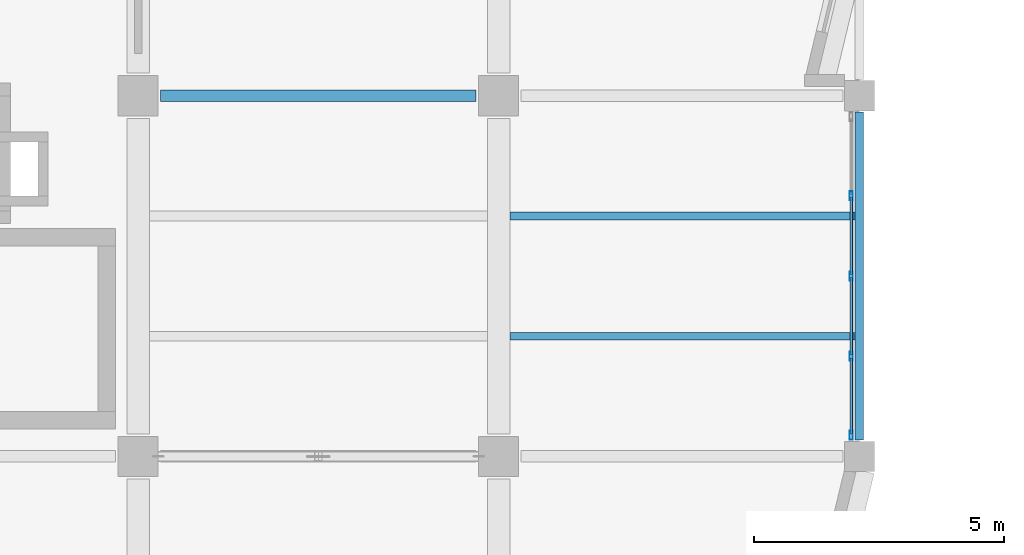
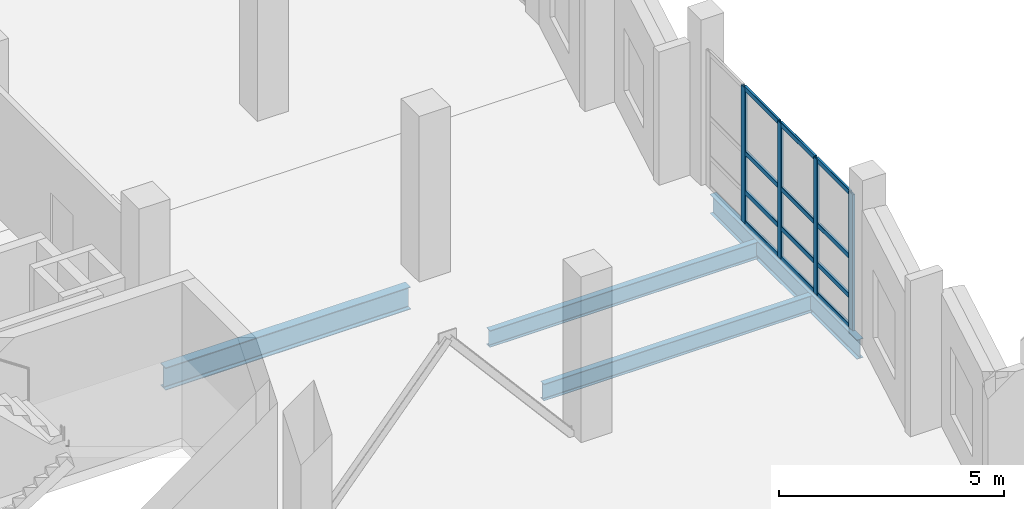
# One storey, part 32 of 123: 16 members, 4 beams, 1 element without a shape of its own.
"""IFC4 building model written with IfcOpenShell, lengths in metres."""

import ifcopenshell
import ifcopenshell.guid

model = None  # the IFC model being written
_history = None  # IfcOwnerHistory: only IFC2X3 demands one
_inside = {}  # id of a spatial element -> (the spatial element, [elements in it])
_under = {}  # id of a project, library or spatial element -> (it, [spatial elements below it])
_declared = {}  # id of a project -> (the project, [libraries it declares])
_typed = {}  # id of a type object -> (the type object, [elements of that type])
_made_of = {}  # id of a material, layer set ... -> (it, [elements and type objects made of it])


def new_model(schema):
    """Start an empty IFC model of exactly this schema.

    Asked for "IFC4X3", IfcOpenShell would pick the latest addendum, in which some entities
    have other attributes; the version numbers below select the first issue.
    IFC2X3 requires an IfcOwnerHistory on every rooted entity: one is made here for all.
    """
    global model, _history
    if schema == "IFC4X3":
        model = ifcopenshell.file(schema_version=(4, 3, 0, 0))
    else:
        model = ifcopenshell.file(schema=schema)
    _inside.clear()
    _under.clear()
    _declared.clear()
    _typed.clear()
    _made_of.clear()
    _history = None
    if model.schema == "IFC2X3":
        org = make("IfcOrganization", Name="unknown")
        user = make(
            "IfcPersonAndOrganization",
            ThePerson=make("IfcPerson", FamilyName="unknown"),
            TheOrganization=org,
        )
        app = make(
            "IfcApplication",
            ApplicationDeveloper=org,
            Version="unknown",
            ApplicationFullName="unknown",
            ApplicationIdentifier="unknown",
        )
        _history = make(
            "IfcOwnerHistory",
            OwningUser=user,
            OwningApplication=app,
            ChangeAction="ADDED",
            CreationDate=0,
        )
    return model


def make(cls, **values):
    """One entity of the class cls with the attributes given. An attribute that is None is left unset."""
    return model.create_entity(
        cls, **{name: value for name, value in values.items() if value is not None}
    )


def rooted(cls, **values):
    """An entity with a GlobalId (a new one), such as an element, a storey or a relation."""
    return make(cls, GlobalId=ifcopenshell.guid.new(), OwnerHistory=_history, **values)


def si_unit(unit_type, name, prefix=None):
    """IfcSIUnit, for example si_unit("LENGTHUNIT", "METRE", prefix="MILLI")."""
    return make("IfcSIUnit", UnitType=unit_type, Prefix=prefix, Name=name)


def assignment(units):
    """IfcUnitAssignment: the units of a project."""
    return None if units is None else make("IfcUnitAssignment", Units=units)


def point(xyz):
    """IfcCartesianPoint."""
    return None if xyz is None else make("IfcCartesianPoint", Coordinates=xyz)


def direction(xyz):
    """IfcDirection."""
    return None if xyz is None else make("IfcDirection", DirectionRatios=xyz)


def frame(location, z_axis=None, x_axis=None):
    """IfcAxis2Placement3D, a coordinate frame: its origin and axes. An axis left out is left unset."""
    return make(
        "IfcAxis2Placement3D",
        Location=point(location),
        Axis=direction(z_axis),
        RefDirection=direction(x_axis),
    )


def frame_2d(location, x_axis=None):
    """IfcAxis2Placement2D, a coordinate frame in the plane: its origin and x axis."""
    return make(
        "IfcAxis2Placement2D", Location=point(location), RefDirection=direction(x_axis)
    )


def origin():
    """The frame at (0, 0, 0) with its axes left unset."""
    return frame((0.0, 0.0, 0.0))


def origin_2d():
    """The frame at (0, 0) in the plane with its x axis left unset."""
    return frame_2d((0.0, 0.0))


def place(relative_to, where):
    """IfcLocalPlacement: puts the frame where relative to a parent placement (None: the world)."""
    return make(
        "IfcLocalPlacement", PlacementRelTo=relative_to, RelativePlacement=where
    )


def context(
    kind, dimensions, precision=None, world=None, true_north=None, identifier=None
):
    """IfcGeometricRepresentationContext, for example the 3D "Model" context."""
    return make(
        "IfcGeometricRepresentationContext",
        ContextIdentifier=identifier,
        ContextType=kind,
        CoordinateSpaceDimension=dimensions,
        Precision=precision,
        WorldCoordinateSystem=world,
        TrueNorth=true_north,
    )


def subcontext(parent, identifier, kind, view, scale=None):
    """IfcGeometricRepresentationSubContext, for example "Body" below "Model"."""
    return make(
        "IfcGeometricRepresentationSubContext",
        ContextIdentifier=identifier,
        ContextType=kind,
        ParentContext=parent,
        TargetScale=scale,
        TargetView=view,
    )


def project(units=None, contexts=None):
    """IfcProject with its units and contexts."""
    return rooted(
        "IfcProject",
        Name="project",
        RepresentationContexts=contexts,
        UnitsInContext=assignment(units),
    )


def spatial(cls, under=None, at=None, **own):
    """A site, building, storey or space (cls), placed at a placement, below another one or the project."""
    s = rooted(cls, ObjectPlacement=at, **own)
    if under is not None:
        _under.setdefault(under.id(), (under, []))[1].append(s)
    return s


def profile(cls, at=None, kind="AREA", **sizes):
    """A parametric profile (cls). Its sizes go by their IFC names, for example OverallWidth=200.0."""
    return make(cls, ProfileType=kind, Position=at, **sizes)


def hollow_rectangle(**sizes):
    """IfcRectangleHollowProfileDef."""
    return profile("IfcRectangleHollowProfileDef", **sizes)


def i_section(**sizes):
    """IfcIShapeProfileDef."""
    return profile("IfcIShapeProfileDef", **sizes)


def extrude(swept, where, along, depth):
    """IfcExtrudedAreaSolid: the profile swept, set in the frame where, extruded along a direction by depth."""
    return make(
        "IfcExtrudedAreaSolid",
        SweptArea=swept,
        Position=where,
        ExtrudedDirection=direction(along),
        Depth=depth,
    )


def shape(context_of_items, identifier, shape_type, items):
    """IfcShapeRepresentation: the items that make up one representation, for example the "Body"."""
    return make(
        "IfcShapeRepresentation",
        ContextOfItems=context_of_items,
        RepresentationIdentifier=identifier,
        RepresentationType=shape_type,
        Items=items,
    )


def material(Name=None, Category=None):
    """IfcMaterial."""
    return make("IfcMaterial", Name=Name, Category=Category)


def material_profile(
    of_material, cross_section, Name=None, Category=None, Priority=None
):
    """IfcMaterialProfile: a cross section and its material."""
    return make(
        "IfcMaterialProfile",
        Name=Name,
        Material=of_material,
        Profile=cross_section,
        Priority=Priority,
        Category=Category,
    )


def profile_set(profiles, Name=None, composite=None):
    """IfcMaterialProfileSet."""
    return make(
        "IfcMaterialProfileSet",
        Name=Name,
        MaterialProfiles=profiles,
        CompositeProfile=composite,
    )


def made_of(thing, what):
    """Note that an element or type object is made of a material, layer set ...; save() writes the relation."""
    if what is not None:
        _made_of.setdefault(what.id(), (what, []))[1].append(thing)
    return thing


def type_object(cls, material=None, **own):
    """A type object (cls), such as IfcWallType, which elements share."""
    return made_of(rooted(cls, **own), material)


def element(
    cls,
    number,
    at=None,
    inside=None,
    cuts=None,
    type_object=None,
    material=None,
    context=None,
    identifier="Body",
    shape_type=None,
    held_by="IfcProductDefinitionShape",
    body=None,
    shapes=None,
    **own,
):
    """One element of the class cls, such as IfcWall. Its Tag is "e" and its number.

    at: its placement. inside: the storey or other place that contains it. cuts: it is an
    opening in that element (IfcRelVoidsElement). A single representation is given by context,
    identifier, shape_type and body (its items); several are given by shapes. held_by: the class
    of the entity that holds the representations. save() writes the other relations.
    """
    e = rooted(cls, Tag="e%d" % number, ObjectPlacement=at, **own)
    if body is not None:
        shapes = [shape(context, identifier, shape_type, body)]
    if shapes is not None:
        e.Representation = make(held_by, Representations=shapes)
    if inside is not None:
        _inside.setdefault(inside.id(), (inside, []))[1].append(e)
    if cuts is not None:
        rooted(
            "IfcRelVoidsElement", RelatingBuildingElement=cuts, RelatedOpeningElement=e
        )
    if type_object is not None:
        _typed.setdefault(type_object.id(), (type_object, []))[1].append(e)
    return made_of(e, material)


def aggregate(whole, parts):
    """IfcRelAggregates: a whole, such as a stair, and the parts it consists of."""
    return rooted("IfcRelAggregates", RelatingObject=whole, RelatedObjects=parts)


def save(model, path):
    """Write the relations noted so far, then the file.

    IfcRelAggregates (storeys below a building ...), IfcRelContainedInSpatialStructure (elements
    in a storey), IfcRelDefinesByType, IfcRelAssociatesMaterial and IfcRelDeclares: one each for
    every whole, place, type object, material and project.
    """
    for whole, parts in _under.values():
        aggregate(whole, parts)
    for where, things in _inside.values():
        rooted(
            "IfcRelContainedInSpatialStructure",
            RelatedElements=things,
            RelatingStructure=where,
        )
    for kind, things in _typed.values():
        rooted("IfcRelDefinesByType", RelatedObjects=things, RelatingType=kind)
    for what, things in _made_of.values():
        rooted("IfcRelAssociatesMaterial", RelatedObjects=things, RelatingMaterial=what)
    for by, libraries in _declared.values():
        rooted("IfcRelDeclares", RelatingContext=by, RelatedDefinitions=libraries)
    model.write(path)


model = new_model("IFC4")

# Units and contexts
model_context = context("Model", 3, precision=1e-05, world=origin(), true_north=direction((0.0, 1.0)))
body_context = subcontext(model_context, "Body", "Model", "MODEL_VIEW")
ifc_project = project(units=[si_unit("LENGTHUNIT", "METRE"), si_unit("AREAUNIT", "SQUARE_METRE"), si_unit("VOLUMEUNIT", "CUBIC_METRE"), si_unit("PLANEANGLEUNIT", "RADIAN"), si_unit("MASSUNIT", "GRAM", prefix="KILO")], contexts=[model_context])

# Site, building, storey
site_placement = place(None, origin())
site = spatial("IfcSite", under=ifc_project, at=site_placement, CompositionType="ELEMENT")
building_placement = place(site_placement, origin())
building = spatial("IfcBuilding", under=site, at=building_placement, Name="Kalmorath City Hall", CompositionType="ELEMENT")
storey_placement = place(building_placement, frame((0.0, 0.0, 10.199951171875)))
storey = spatial("IfcBuildingStorey", under=building, at=storey_placement, Name="L02", CompositionType="ELEMENT", Elevation=10.199951171875)

# Curtain wall, members
ifc_material_1 = material(Name="Anodised aluminium and laminated glass", Category="aluminium")
curtain_wall_type = type_object("IfcCurtainWallType", Name="Unitised hurricane curtain wall 6420x3696 M1450", PredefinedType="NOTDEFINED", material=ifc_material_1)
curtain_wall_placement = place(storey_placement, origin())
curtain_wall = element("IfcCurtainWall", 1, at=curtain_wall_placement, inside=storey, type_object=curtain_wall_type, Name="L02 curtain wall CW-64X37M14 #141", PredefinedType="NOTDEFINED")
ifc_material_2 = material(Name="Anodised aluminium framing", Category="aluminium")
ifc_material_profile_1 = material_profile(ifc_material_2, hollow_rectangle(XDim=0.06494140625, YDim=0.179931640625, WallThickness=0.00390625, InnerFilletRadius=0.00390625, OuterFilletRadius=0.008056640625, at=origin_2d()), Name="ALU-MUL-180X65X4")
ifc_profile_set_1 = profile_set([ifc_material_profile_1], Name="Anodised aluminium framing")
member_type_1 = type_object("IfcMemberType", Name="Curtain-wall courtyard mullion 180x65", PredefinedType="MULLION", material=ifc_profile_set_1)
member_1_placement = place(storey_placement, frame((28.639892578125, 55.60498046875, 0.0), z_axis=(0.0, 0.0, 1.0), x_axis=(1.0, 0.0, 0.0)))
member_1 = element("IfcMember", 2, at=member_1_placement, type_object=member_type_1, Name="CW-64X37M14 mullion 2", PredefinedType="MULLION", context=body_context, shape_type="SweptSolid", body=[
    extrude(hollow_rectangle(XDim=0.06494140625, YDim=0.179931640625, WallThickness=0.00390625, InnerFilletRadius=0.00390625, OuterFilletRadius=0.008056640625, at=origin_2d()), origin(), (0.0, 0.0, 1.0), 3.696044921875),
])
member_2_placement = place(storey_placement, frame((28.639892578125, 54.0, 0.0), z_axis=(0.0, 0.0, 1.0), x_axis=(1.0, 0.0, 0.0)))
member_2 = element("IfcMember", 3, at=member_2_placement, type_object=member_type_1, Name="CW-64X37M14 mullion 3", PredefinedType="MULLION", context=body_context, shape_type="SweptSolid", body=[
    extrude(hollow_rectangle(XDim=0.06494140625, YDim=0.179931640625, WallThickness=0.00390625, InnerFilletRadius=0.00390625, OuterFilletRadius=0.008056640625, at=origin_2d()), origin(), (0.0, 0.0, 1.0), 3.696044921875),
])
member_3_placement = place(storey_placement, frame((28.639892578125, 52.39501953125, 0.0), z_axis=(0.0, 0.0, 1.0), x_axis=(1.0, 0.0, 0.0)))
member_3 = element("IfcMember", 4, at=member_3_placement, type_object=member_type_1, Name="CW-64X37M14 mullion 4", PredefinedType="MULLION", context=body_context, shape_type="SweptSolid", body=[
    extrude(hollow_rectangle(XDim=0.06494140625, YDim=0.179931640625, WallThickness=0.00390625, InnerFilletRadius=0.00390625, OuterFilletRadius=0.008056640625, at=origin_2d()), origin(), (0.0, 0.0, 1.0), 3.696044921875),
])
member_4_placement = place(storey_placement, frame((28.639892578125, 50.822509765625, 0.0), z_axis=(0.0, 0.0, 1.0), x_axis=(1.0, 0.0, 0.0)))
member_4 = element("IfcMember", 5, at=member_4_placement, type_object=member_type_1, Name="CW-64X37M14 mullion 5", PredefinedType="MULLION", context=body_context, shape_type="SweptSolid", body=[
    extrude(hollow_rectangle(XDim=0.06494140625, YDim=0.179931640625, WallThickness=0.00390625, InnerFilletRadius=0.00390625, OuterFilletRadius=0.008056640625, at=origin_2d()), origin(), (0.0, 0.0, 1.0), 3.696044921875),
])
ifc_material_3 = material(Name="Anodised aluminium framing", Category="aluminium")
ifc_material_profile_2 = material_profile(ifc_material_3, hollow_rectangle(XDim=0.06005859375, YDim=0.1298828125, WallThickness=0.00341796875, InnerFilletRadius=0.00341796875, OuterFilletRadius=0.007080078125, at=origin_2d()), Name="ALU-TRN-130X60X3.5")
ifc_profile_set_2 = profile_set([ifc_material_profile_2], Name="Anodised aluminium framing")
member_type_2 = type_object("IfcMemberType", Name="Curtain-wall courtyard transom 130x60", PredefinedType="USERDEFINED", material=ifc_profile_set_2)
member_5_placement = place(storey_placement, frame((28.639892578125, 55.572509765625, 0.030029296875), z_axis=(0.0, -1.0, 0.0), x_axis=(1.0, 0.0, 0.0)))
member_5 = element("IfcMember", 6, at=member_5_placement, type_object=member_type_2, Name="CW-64X37M14 transom 2.1", ObjectType="TRANSOM", PredefinedType="USERDEFINED", context=body_context, shape_type="SweptSolid", body=[
    extrude(hollow_rectangle(XDim=0.06005859375, YDim=0.1298828125, WallThickness=0.00341796875, InnerFilletRadius=0.00341796875, OuterFilletRadius=0.007080078125, at=origin_2d()), origin(), (0.0, 0.0, 1.0), 1.5400390625),
])
member_6_placement = place(storey_placement, frame((28.639892578125, 55.572509765625, 0.85009765625), z_axis=(0.0, -1.0, 0.0), x_axis=(1.0, 0.0, 0.0)))
member_6 = element("IfcMember", 7, at=member_6_placement, type_object=member_type_2, Name="CW-64X37M14 transom 2.2", ObjectType="TRANSOM", PredefinedType="USERDEFINED", context=body_context, shape_type="SweptSolid", body=[
    extrude(hollow_rectangle(XDim=0.06005859375, YDim=0.1298828125, WallThickness=0.00341796875, InnerFilletRadius=0.00341796875, OuterFilletRadius=0.007080078125, at=origin_2d()), origin(), (0.0, 0.0, 1.0), 1.5400390625),
])
member_7_placement = place(storey_placement, frame((28.639892578125, 55.572509765625, 1.922119140625), z_axis=(0.0, -1.0, 0.0), x_axis=(1.0, 0.0, 0.0)))
member_7 = element("IfcMember", 8, at=member_7_placement, type_object=member_type_2, Name="CW-64X37M14 transom 2.3", ObjectType="TRANSOM", PredefinedType="USERDEFINED", context=body_context, shape_type="SweptSolid", body=[
    extrude(hollow_rectangle(XDim=0.06005859375, YDim=0.1298828125, WallThickness=0.00341796875, InnerFilletRadius=0.00341796875, OuterFilletRadius=0.007080078125, at=origin_2d()), origin(), (0.0, 0.0, 1.0), 1.5400390625),
])
member_8_placement = place(storey_placement, frame((28.639892578125, 55.572509765625, 3.666015625), z_axis=(0.0, -1.0, 0.0), x_axis=(1.0, 0.0, 0.0)))
member_8 = element("IfcMember", 9, at=member_8_placement, type_object=member_type_2, Name="CW-64X37M14 transom 2.4", ObjectType="TRANSOM", PredefinedType="USERDEFINED", context=body_context, shape_type="SweptSolid", body=[
    extrude(hollow_rectangle(XDim=0.06005859375, YDim=0.1298828125, WallThickness=0.00341796875, InnerFilletRadius=0.00341796875, OuterFilletRadius=0.007080078125, at=origin_2d()), origin(), (0.0, 0.0, 1.0), 1.5400390625),
])
member_9_placement = place(storey_placement, frame((28.639892578125, 53.967529296875, 0.030029296875), z_axis=(0.0, -1.0, 0.0), x_axis=(1.0, 0.0, 0.0)))
member_9 = element("IfcMember", 10, at=member_9_placement, type_object=member_type_2, Name="CW-64X37M14 transom 3.1", ObjectType="TRANSOM", PredefinedType="USERDEFINED", context=body_context, shape_type="SweptSolid", body=[
    extrude(hollow_rectangle(XDim=0.06005859375, YDim=0.1298828125, WallThickness=0.00341796875, InnerFilletRadius=0.00341796875, OuterFilletRadius=0.007080078125, at=origin_2d()), origin(), (0.0, 0.0, 1.0), 1.5400390625),
])
member_10_placement = place(storey_placement, frame((28.639892578125, 53.967529296875, 0.85009765625), z_axis=(0.0, -1.0, 0.0), x_axis=(1.0, 0.0, 0.0)))
member_10 = element("IfcMember", 11, at=member_10_placement, type_object=member_type_2, Name="CW-64X37M14 transom 3.2", ObjectType="TRANSOM", PredefinedType="USERDEFINED", context=body_context, shape_type="SweptSolid", body=[
    extrude(hollow_rectangle(XDim=0.06005859375, YDim=0.1298828125, WallThickness=0.00341796875, InnerFilletRadius=0.00341796875, OuterFilletRadius=0.007080078125, at=origin_2d()), origin(), (0.0, 0.0, 1.0), 1.5400390625),
])
member_11_placement = place(storey_placement, frame((28.639892578125, 53.967529296875, 1.922119140625), z_axis=(0.0, -1.0, 0.0), x_axis=(1.0, 0.0, 0.0)))
member_11 = element("IfcMember", 12, at=member_11_placement, type_object=member_type_2, Name="CW-64X37M14 transom 3.3", ObjectType="TRANSOM", PredefinedType="USERDEFINED", context=body_context, shape_type="SweptSolid", body=[
    extrude(hollow_rectangle(XDim=0.06005859375, YDim=0.1298828125, WallThickness=0.00341796875, InnerFilletRadius=0.00341796875, OuterFilletRadius=0.007080078125, at=origin_2d()), origin(), (0.0, 0.0, 1.0), 1.5400390625),
])
member_12_placement = place(storey_placement, frame((28.639892578125, 53.967529296875, 3.666015625), z_axis=(0.0, -1.0, 0.0), x_axis=(1.0, 0.0, 0.0)))
member_12 = element("IfcMember", 13, at=member_12_placement, type_object=member_type_2, Name="CW-64X37M14 transom 3.4", ObjectType="TRANSOM", PredefinedType="USERDEFINED", context=body_context, shape_type="SweptSolid", body=[
    extrude(hollow_rectangle(XDim=0.06005859375, YDim=0.1298828125, WallThickness=0.00341796875, InnerFilletRadius=0.00341796875, OuterFilletRadius=0.007080078125, at=origin_2d()), origin(), (0.0, 0.0, 1.0), 1.5400390625),
])
member_13_placement = place(storey_placement, frame((28.639892578125, 52.362548828125, 0.030029296875), z_axis=(0.0, -1.0, 0.0), x_axis=(1.0, 0.0, 0.0)))
member_13 = element("IfcMember", 14, at=member_13_placement, type_object=member_type_2, Name="CW-64X37M14 transom 4.1", ObjectType="TRANSOM", PredefinedType="USERDEFINED", context=body_context, shape_type="SweptSolid", body=[
    extrude(hollow_rectangle(XDim=0.06005859375, YDim=0.1298828125, WallThickness=0.00341796875, InnerFilletRadius=0.00341796875, OuterFilletRadius=0.007080078125, at=origin_2d()), origin(), (0.0, 0.0, 1.0), 1.507568359375),
])
member_14_placement = place(storey_placement, frame((28.639892578125, 52.362548828125, 0.85009765625), z_axis=(0.0, -1.0, 0.0), x_axis=(1.0, 0.0, 0.0)))
member_14 = element("IfcMember", 15, at=member_14_placement, type_object=member_type_2, Name="CW-64X37M14 transom 4.2", ObjectType="TRANSOM", PredefinedType="USERDEFINED", context=body_context, shape_type="SweptSolid", body=[
    extrude(hollow_rectangle(XDim=0.06005859375, YDim=0.1298828125, WallThickness=0.00341796875, InnerFilletRadius=0.00341796875, OuterFilletRadius=0.007080078125, at=origin_2d()), origin(), (0.0, 0.0, 1.0), 1.507568359375),
])
member_15_placement = place(storey_placement, frame((28.639892578125, 52.362548828125, 1.922119140625), z_axis=(0.0, -1.0, 0.0), x_axis=(1.0, 0.0, 0.0)))
member_15 = element("IfcMember", 16, at=member_15_placement, type_object=member_type_2, Name="CW-64X37M14 transom 4.3", ObjectType="TRANSOM", PredefinedType="USERDEFINED", context=body_context, shape_type="SweptSolid", body=[
    extrude(hollow_rectangle(XDim=0.06005859375, YDim=0.1298828125, WallThickness=0.00341796875, InnerFilletRadius=0.00341796875, OuterFilletRadius=0.007080078125, at=origin_2d()), origin(), (0.0, 0.0, 1.0), 1.507568359375),
])
member_16_placement = place(storey_placement, frame((28.639892578125, 52.362548828125, 3.666015625), z_axis=(0.0, -1.0, 0.0), x_axis=(1.0, 0.0, 0.0)))
member_16 = element("IfcMember", 17, at=member_16_placement, type_object=member_type_2, Name="CW-64X37M14 transom 4.4", ObjectType="TRANSOM", PredefinedType="USERDEFINED", context=body_context, shape_type="SweptSolid", body=[
    extrude(hollow_rectangle(XDim=0.06005859375, YDim=0.1298828125, WallThickness=0.00341796875, InnerFilletRadius=0.00341796875, OuterFilletRadius=0.007080078125, at=origin_2d()), origin(), (0.0, 0.0, 1.0), 1.507568359375),
])
aggregate(curtain_wall, [member_1, member_2, member_3, member_4, member_5, member_6, member_7, member_8, member_9, member_10, member_11, member_12, member_13, member_14, member_15, member_16])

# Beams
ifc_material_4 = material(Name="Steel ASTM A992 Grade 50", Category="steel")
ifc_material_profile_3 = material_profile(ifc_material_4, i_section(OverallWidth=0.153076171875, OverallDepth=0.455078125, WebThickness=0.008056640625, FlangeThickness=0.01318359375, FilletRadius=0.013916015625, at=origin_2d()), Name="W18X40")
ifc_profile_set_3 = profile_set([ifc_material_profile_3], Name="Steel ASTM A992 Grade 50")
beam_type_1 = type_object("IfcBeamType", Name="Steel composite joist W18X40", PredefinedType="JOIST", material=ifc_profile_set_3)
for number, where, z_axis, x_axis, name in (
    (18, (21.824951171875, 52.800048828125, -0.511474609375), (1.0, 0.0, 0.0), (0.0, 1.0, 0.0), "L02 joist SJ4 4.8.1"),
    (19, (21.824951171875, 55.199951171875, -0.511474609375), (1.0, 0.0, 0.0), (0.0, 1.0, 0.0), "L02 joist SJ4 4.8.2"),
):
    element("IfcBeam", number, at=place(storey_placement, frame(where, z_axis=z_axis, x_axis=x_axis)), inside=storey, type_object=beam_type_1, Name=name, PredefinedType="JOIST", context=body_context, shape_type="SweptSolid", body=[
        extrude(i_section(OverallWidth=0.153076171875, OverallDepth=0.455078125, WebThickness=0.008056640625, FlangeThickness=0.01318359375, FilletRadius=0.013916015625, at=origin_2d()), origin(), (0.0, 0.0, 1.0), 6.892578125),
    ])
ifc_material_5 = material(Name="Steel ASTM A992 Grade 50", Category="steel")
ifc_material_profile_4 = material_profile(ifc_material_5, i_section(OverallWidth=0.22900390625, OverallDepth=0.612060546875, WebThickness=0.011962890625, FlangeThickness=0.01953125, FilletRadius=0.01611328125, at=origin_2d()), Name="W24X84")
ifc_profile_set_4 = profile_set([ifc_material_profile_4], Name="Steel ASTM A992 Grade 50")
beam_type_2 = type_object("IfcBeamType", Name="Steel floor girder W24X84", PredefinedType="BEAM", material=ifc_profile_set_4)
beam_1_placement = place(storey_placement, frame((14.85009765625, 57.60009765625, -0.58984375), z_axis=(1.0, 0.0, 0.0), x_axis=(0.0, 1.0, 0.0)))
element("IfcBeam", 20, at=beam_1_placement, inside=storey, type_object=beam_type_2, Name="L02 girder SG8 X3-4/9", PredefinedType="BEAM", context=body_context, shape_type="SweptSolid", body=[
    extrude(i_section(OverallWidth=0.22900390625, OverallDepth=0.612060546875, WebThickness=0.011962890625, FlangeThickness=0.01953125, FilletRadius=0.01611328125, at=origin_2d()), origin(), (0.0, 0.0, 1.0), 6.2998046875),
])
ifc_material_6 = material(Name="Steel ASTM A992 Grade 50", Category="steel")
ifc_material_profile_5 = material_profile(ifc_material_6, i_section(OverallWidth=0.1650390625, OverallDepth=0.52490234375, WebThickness=0.0087890625, FlangeThickness=0.011474609375, FilletRadius=0.014892578125, at=origin_2d()), Name="W21X44")
ifc_profile_set_5 = profile_set([ifc_material_profile_5], Name="Steel ASTM A992 Grade 50")
beam_type_3 = type_object("IfcBeamType", Name="Steel spandrel beam W21X44", PredefinedType="SPANDREL", material=ifc_profile_set_5)
beam_2_placement = place(storey_placement, frame((28.800048828125, 50.72509765625, -0.54638671875), z_axis=(0.0, 1.0, 0.0), x_axis=(-1.0, 0.0, 0.0)))
element("IfcBeam", 21, at=beam_2_placement, inside=storey, type_object=beam_type_3, Name="L02 girder SB4 Y5/8-9", PredefinedType="SPANDREL", context=body_context, shape_type="SweptSolid", body=[
    extrude(i_section(OverallWidth=0.1650390625, OverallDepth=0.52490234375, WebThickness=0.0087890625, FlangeThickness=0.011474609375, FilletRadius=0.014892578125, at=origin_2d()), origin(), (0.0, 0.0, 1.0), 6.5498046875),
])

save(model, "model.ifc")
